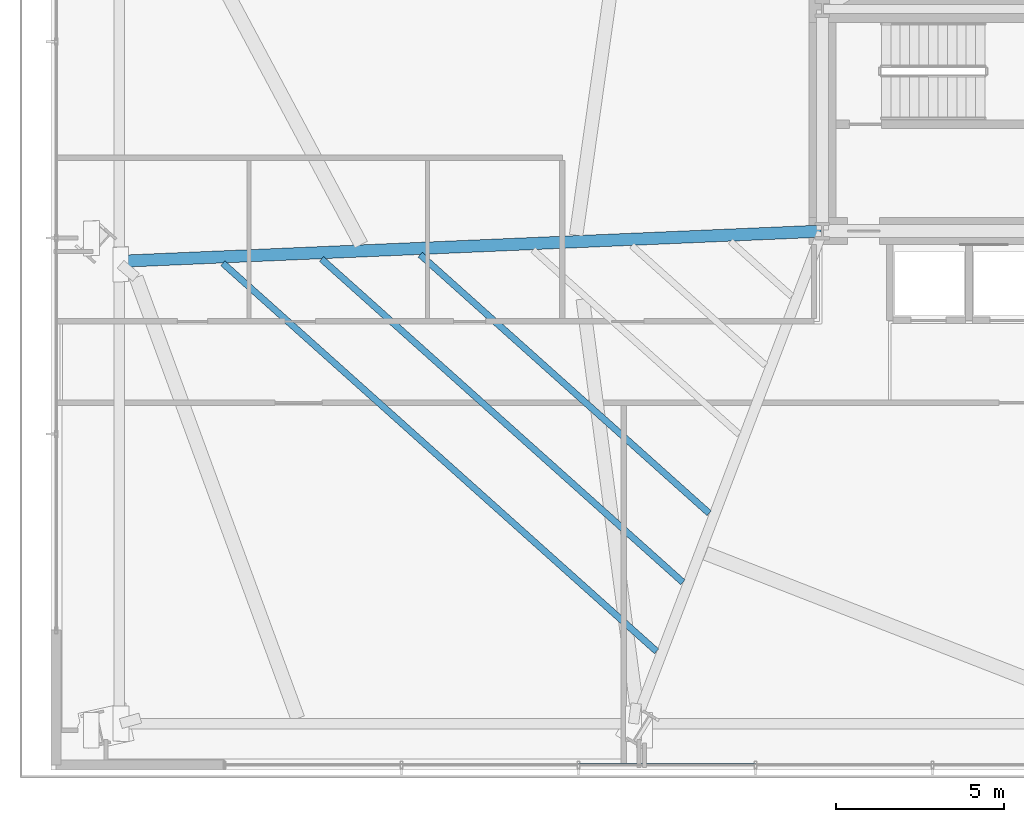
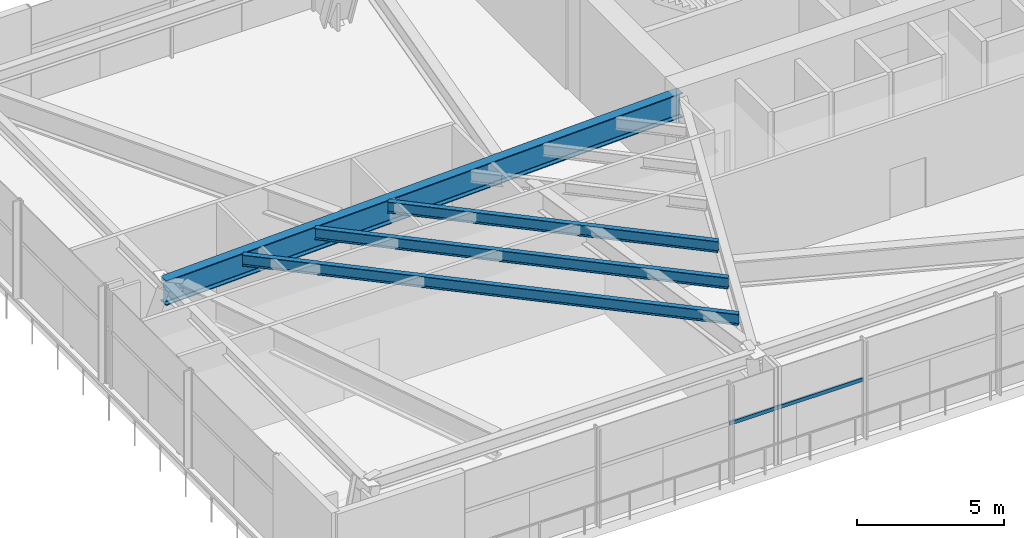
# One storey, part 5 of 30: 4 beams, 1 member, 1 element without a shape of its own.
"""IFC4 building model written with IfcOpenShell, lengths in metres."""

from ifc_helpers import new_model, si_unit, direction, frame, origin, origin_2d, place, context, subcontext, project, spatial, hollow_rectangle, i_section, extrude, source, transform, mapped, material, material_profile, profile_set, type_object, type_shapes, element, aggregate, save


model = new_model("IFC4")

# Units and contexts
model_context = context("Model", 3, precision=1e-05, world=origin(), true_north=direction((0.0, 1.0)))
body_context = subcontext(model_context, "Body", "Model", "MODEL_VIEW")
ifc_project = project(units=[si_unit("LENGTHUNIT", "METRE"), si_unit("AREAUNIT", "SQUARE_METRE"), si_unit("VOLUMEUNIT", "CUBIC_METRE"), si_unit("PLANEANGLEUNIT", "RADIAN"), si_unit("MASSUNIT", "GRAM", prefix="KILO")], contexts=[model_context])

# Site, building, storey
site_placement = place(None, origin())
site = spatial("IfcSite", under=ifc_project, at=site_placement, CompositionType="ELEMENT")
building_placement = place(site_placement, origin())
building = spatial("IfcBuilding", under=site, at=building_placement, Name="Astriad Promenade Condominiums", CompositionType="ELEMENT")
storey_placement = place(building_placement, frame((0.0, 0.0, 14.0)))
storey = spatial("IfcBuildingStorey", under=building, at=storey_placement, Name="L03", CompositionType="ELEMENT", Elevation=14.0)

# Beams
ifc_material_1 = material(Name="Steel ASTM A992 Grade 50", Category="steel")
ifc_material_profile_1 = material_profile(ifc_material_1, i_section(OverallWidth=0.361083984375, OverallDepth=1.025634765625, WebThickness=0.01904296875, FlangeThickness=0.0361328125, FilletRadius=0.025390625, at=origin_2d()), Name="W40X249")
ifc_profile_set_1 = profile_set([ifc_material_profile_1], Name="Steel ASTM A992 Grade 50")
beam_type_1 = type_object("IfcBeamType", Name="STEEL PODIUM GIRDER W40X249", PredefinedType="BEAM", material=ifc_profile_set_1)
shared_shape_1 = source(origin(), body_context, "Body", "SweptSolid", [
    extrude(i_section(OverallWidth=0.361083984375, OverallDepth=1.025634765625, WebThickness=0.01904296875, FlangeThickness=0.0361328125, FilletRadius=0.025390625, at=origin_2d()), origin(), (0.0, 0.0, 1.0), 20.87255859375),
])
type_shapes(beam_type_1, [shared_shape_1])
beam_1_placement = place(storey_placement, frame((5.5068359375, 16.502197265625, 3.567138671875), z_axis=(0.999078207807, 0.042927085672, 0.0), x_axis=(-0.042927085672, 0.999078207807, 0.0)))
element("IfcBeam", 1, at=beam_1_placement, inside=storey, type_object=beam_type_1, Name="Primary Floor Girder PG-WM-L03", PredefinedType="BEAM", context=body_context, shape_type="MappedRepresentation", body=[
    mapped(shared_shape_1, transform((0.0, 0.0, 0.0), scale=1.0)),
])
ifc_material_profile_2 = material_profile(ifc_material_1, i_section(OverallWidth=0.19287109375, OverallDepth=0.466064453125, WebThickness=0.011474609375, FlangeThickness=0.01904296875, FilletRadius=0.01513671875, at=origin_2d()), Name="W18X65")
ifc_profile_set_2 = profile_set([ifc_material_profile_2], Name="Steel ASTM A992 Grade 50")
beam_type_2 = type_object("IfcBeamType", Name="STEEL FLOOR JOIST W18X65", PredefinedType="JOIST", material=ifc_profile_set_2)
shared_shape_2 = source(origin(), body_context, "Body", "SweptSolid", [
    extrude(i_section(OverallWidth=0.19287109375, OverallDepth=0.466064453125, WebThickness=0.011474609375, FlangeThickness=0.01904296875, FilletRadius=0.01513671875, at=origin_2d()), origin(), (0.0, 0.0, 1.0), 17.28173828125),
])
beam_2_placement = place(storey_placement, frame((8.597900390625, 16.447265625, 3.846923828125), z_axis=(0.745235401827, -0.666801466603, 0.0), x_axis=(0.666801466603, 0.745235401827, 0.0)))
element("IfcBeam", 2, at=beam_2_placement, inside=storey, type_object=beam_type_2, Name="Secondary Composite Floor Joist JW1-1-L03", PredefinedType="JOIST", context=body_context, shape_type="MappedRepresentation", body=[
    mapped(shared_shape_2, transform((0.0, 0.0, 0.0), scale=1.0)),
])
shared_shape_3 = source(origin(), body_context, "Body", "SweptSolid", [
    extrude(i_section(OverallWidth=0.19287109375, OverallDepth=0.466064453125, WebThickness=0.011474609375, FlangeThickness=0.01904296875, FilletRadius=0.01513671875, at=origin_2d()), origin(), (0.0, 0.0, 1.0), 14.396240234375),
])
beam_3_placement = place(storey_placement, frame((11.5283203125, 16.5732421875, 3.846923828125), z_axis=(0.745243087647, -0.666792876623, 0.0), x_axis=(0.666792876623, 0.745243087647, 0.0)))
element("IfcBeam", 3, at=beam_3_placement, inside=storey, type_object=beam_type_2, Name="Secondary Composite Floor Joist JW1-2-L03", PredefinedType="JOIST", context=body_context, shape_type="MappedRepresentation", body=[
    mapped(shared_shape_3, transform((0.0, 0.0, 0.0), scale=1.0)),
])
shared_shape_4 = source(origin(), body_context, "Body", "SweptSolid", [
    extrude(i_section(OverallWidth=0.19287109375, OverallDepth=0.466064453125, WebThickness=0.011474609375, FlangeThickness=0.01904296875, FilletRadius=0.01513671875, at=origin_2d()), origin(), (0.0, 0.0, 1.0), 11.510986328125),
])
type_shapes(beam_type_2, [shared_shape_2, shared_shape_3, shared_shape_4])
beam_4_placement = place(storey_placement, frame((14.458984375, 16.69921875, 3.846923828125), z_axis=(0.745234657, -0.666802299041, 0.0), x_axis=(0.666802299041, 0.745234657, 0.0)))
element("IfcBeam", 4, at=beam_4_placement, inside=storey, type_object=beam_type_2, Name="Secondary Composite Floor Joist JW1-3-L03", PredefinedType="JOIST", context=body_context, shape_type="MappedRepresentation", body=[
    mapped(shared_shape_4, transform((0.0, 0.0, 0.0), scale=1.0)),
])

# Curtain wall, member
ifc_material_2 = material(Name="Anodised aluminium Black Dark Glass Unitised", Category="aluminium")
curtain_wall_type = type_object("IfcCurtainWallType", Name="CW-POD-DARK", PredefinedType="USERDEFINED", material=ifc_material_2)
curtain_wall_placement = place(storey_placement, origin())
curtain_wall = element("IfcCurtainWall", 5, at=curtain_wall_placement, inside=storey, type_object=curtain_wall_type, Name="CW-L03-S", ObjectType="UNITISED_CURTAIN_WALL", PredefinedType="USERDEFINED")
ifc_material_3 = material(Name="Anodised aluminium 6063-T6 Black", Category="aluminium")
ifc_material_profile_3 = material_profile(ifc_material_3, hollow_rectangle(XDim=0.074951171875, YDim=0.14990234375, WallThickness=0.004150390625, at=origin_2d()), Name="ALU-TRN-75X150")
ifc_profile_set_3 = profile_set([ifc_material_profile_3], Name="Anodised aluminium 6063-T6 Black")
member_type = type_object("IfcMemberType", Name="TRN-ALU-TRN-75X150", PredefinedType="USERDEFINED", material=ifc_profile_set_3)
shared_shape_5 = source(origin(), body_context, "Body", "SweptSolid", [
    extrude(hollow_rectangle(XDim=0.074951171875, YDim=0.14990234375, WallThickness=0.004150390625, at=origin_2d()), origin(), (0.0, 0.0, 1.0), 5.25439453125),
])
type_shapes(member_type, [shared_shape_5])
member_placement = place(storey_placement, frame((24.41357421875, 1.550048828125, 2.35009765625), z_axis=(-1.0, 0.0, 0.0), x_axis=(0.0, -1.0, 0.0)))
member = element("IfcMember", 6, at=member_placement, type_object=member_type, Name="CW-L03-S-TRN-08-0", ObjectType="TRANSOM", PredefinedType="USERDEFINED", context=body_context, shape_type="MappedRepresentation", body=[
    mapped(shared_shape_5, transform((0.0, 0.0, 0.0), scale=1.0)),
])
aggregate(curtain_wall, [member])

save(model, "model.ifc")
